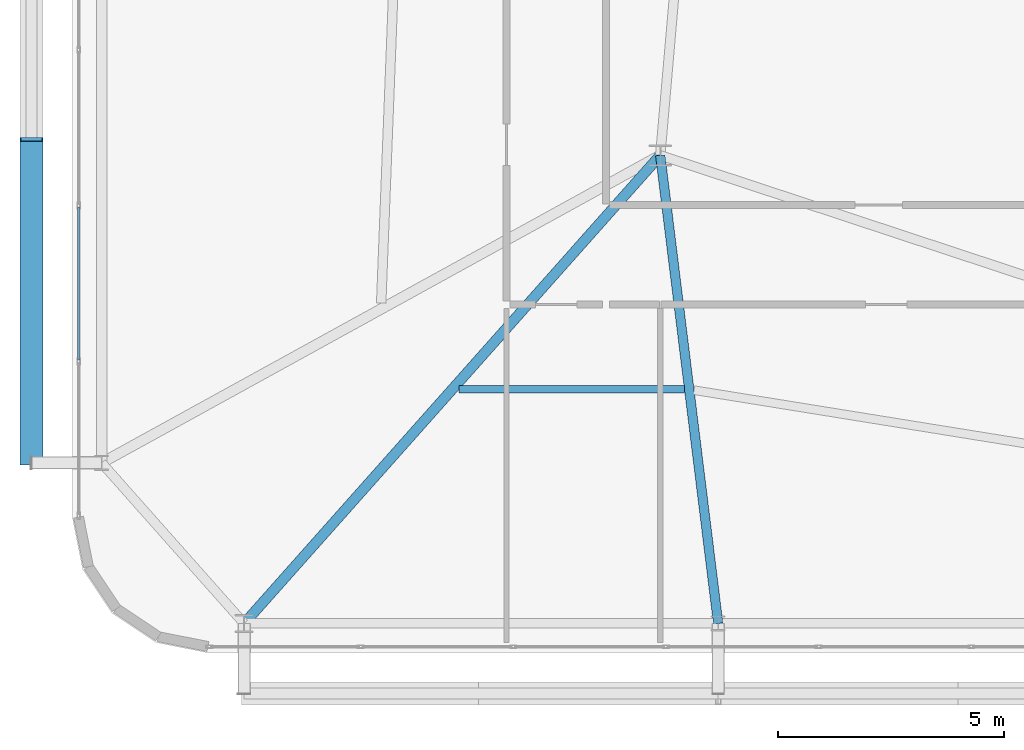
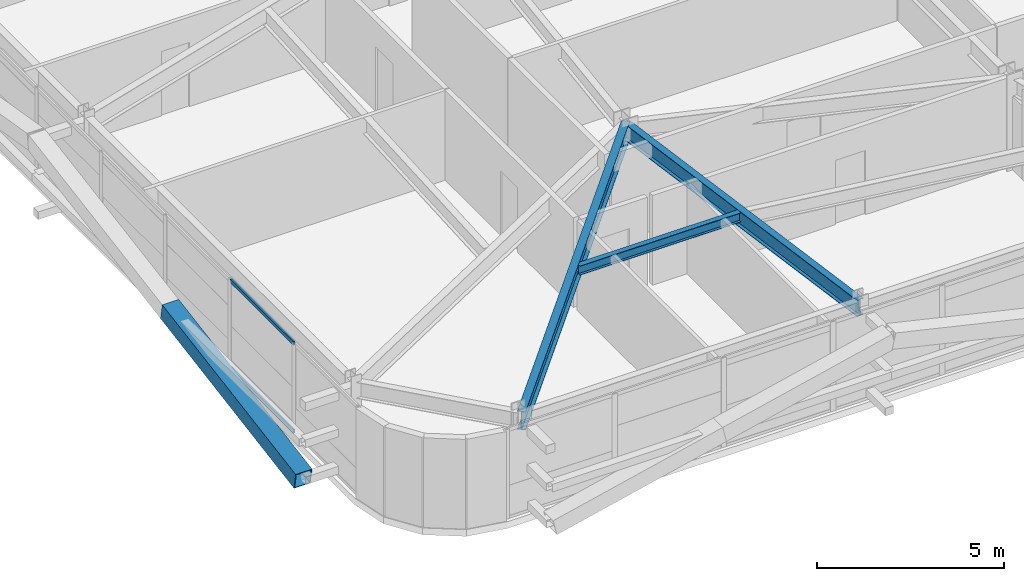
# One storey, part 7 of 59: 3 beams, 3 members, 1 element without a shape of its own.
"""IFC4 building model written with IfcOpenShell, lengths in metres."""

from ifc_helpers import new_model, si_unit, direction, frame, origin, origin_2d, place, context, subcontext, project, spatial, hollow_rectangle, i_section, extrude, source, transform, mapped, material, layer, layer_set, material_profile, profile_set, type_object, element, aggregate, save


model = new_model("IFC4")

# Units and contexts
model_context = context("Model", 3, precision=1e-05, world=origin(), true_north=direction((0.0, 1.0)))
body_context = subcontext(model_context, "Body", "Model", "MODEL_VIEW")
ifc_project = project(units=[si_unit("LENGTHUNIT", "METRE"), si_unit("AREAUNIT", "SQUARE_METRE"), si_unit("VOLUMEUNIT", "CUBIC_METRE"), si_unit("PLANEANGLEUNIT", "RADIAN"), si_unit("MASSUNIT", "GRAM", prefix="KILO")], contexts=[model_context])

# Site, building, storey
site_placement = place(None, origin())
site = spatial("IfcSite", under=ifc_project, at=site_placement, CompositionType="ELEMENT")
building_placement = place(site_placement, origin())
building = spatial("IfcBuilding", under=site, at=building_placement, Name="Taldren Reach Tower", CompositionType="ELEMENT")
storey_placement = place(building_placement, frame((0.0, 0.0, 48.300048828125)))
storey = spatial("IfcBuildingStorey", under=building, at=storey_placement, Name="L14", CompositionType="ELEMENT", Elevation=48.300048828125)

# Beams
ifc_material_1 = material(Name="Steel Gr 350 (350PLUS)", Category="steel")
ifc_material_profile_1 = material_profile(ifc_material_1, i_section(OverallWidth=0.22802734375, OverallDepth=0.60205078125, WebThickness=0.010498046875, FlangeThickness=0.014892578125, at=origin_2d()), Name="610UB101")
ifc_profile_set_1 = profile_set([ifc_material_profile_1], Name="Steel Gr 350 (350PLUS)")
beam_type_1 = type_object("IfcBeamType", Name="BM-UB610B", PredefinedType="BEAM", material=ifc_profile_set_1)
shared_shape_1 = source(origin(), body_context, "Body", "SweptSolid", [
    extrude(i_section(OverallWidth=0.22802734375, OverallDepth=0.60205078125, WebThickness=0.010498046875, FlangeThickness=0.014892578125, at=origin_2d()), origin(), (0.0, 0.0, 1.0), 13.847900390625),
])
beam_1_placement = place(storey_placement, frame((18.0, 12.5, 2.62890625), z_axis=(-0.664358367375, -0.747414182164, 0.0), x_axis=(0.747414182164, -0.664358367375, 0.0)))
element("IfcBeam", 1, at=beam_1_placement, inside=storey, type_object=beam_type_1, Name="Primary floor girder B1-S1 L14", PredefinedType="BEAM", context=body_context, shape_type="MappedRepresentation", body=[
    mapped(shared_shape_1, transform((0.0, 0.0, 0.0), scale=1.0)),
])
ifc_material_profile_2 = material_profile(ifc_material_1, i_section(OverallWidth=0.208984375, OverallDepth=0.532958984375, WebThickness=0.01025390625, FlangeThickness=0.015625, at=origin_2d()), Name="530UB92.4")
ifc_profile_set_2 = profile_set([ifc_material_profile_2], Name="Steel Gr 350 (350PLUS)")
beam_type_2 = type_object("IfcBeamType", Name="BM-UB530A", PredefinedType="BEAM", material=ifc_profile_set_2)
shared_shape_2 = source(origin(), body_context, "Body", "SweptSolid", [
    extrude(i_section(OverallWidth=0.208984375, OverallDepth=0.532958984375, WebThickness=0.01025390625, FlangeThickness=0.015625, at=origin_2d()), origin(), (0.0, 0.0, 1.0), 10.428955078125),
])
beam_2_placement = place(storey_placement, frame((18.0, 12.5, 2.663330078125), z_axis=(0.122738080664, -0.992439098159, 0.0), x_axis=(0.992439098159, 0.122738080664, 0.0)))
element("IfcBeam", 2, at=beam_2_placement, inside=storey, type_object=beam_type_2, Name="Primary floor girder B1-S2 L14", PredefinedType="BEAM", context=body_context, shape_type="MappedRepresentation", body=[
    mapped(shared_shape_2, transform((0.0, 0.0, 0.0), scale=1.0)),
])
ifc_material_2 = material(Name="Steel Gr 300 (300PLUS, 300 MPa)", Category="steel")
ifc_material_profile_3 = material_profile(ifc_material_2, i_section(OverallWidth=0.166015625, OverallDepth=0.306884765625, WebThickness=0.006591796875, FlangeThickness=0.01171875, at=origin_2d()), Name="310UB46.2")
ifc_profile_set_3 = profile_set([ifc_material_profile_3], Name="Steel Gr 300 (300PLUS, 300 MPa)")
beam_type_3 = type_object("IfcBeamType", Name="JS-UB310", PredefinedType="JOIST", material=ifc_profile_set_3)
shared_shape_3 = source(origin(), body_context, "Body", "SweptSolid", [
    extrude(i_section(OverallWidth=0.166015625, OverallDepth=0.306884765625, WebThickness=0.006591796875, FlangeThickness=0.01171875, at=origin_2d()), origin(), (0.0, 0.0, 1.0), 4.982177734375),
])
beam_3_placement = place(storey_placement, frame((13.552490234375, 7.324951171875, 2.7763671875), z_axis=(1.0, 0.0, 0.0), x_axis=(0.0, 1.0, 0.0)))
element("IfcBeam", 3, at=beam_3_placement, inside=storey, type_object=beam_type_3, Name="Secondary floor joist B1 J1 L14", PredefinedType="JOIST", context=body_context, shape_type="MappedRepresentation", body=[
    mapped(shared_shape_3, transform((0.0, 0.0, 0.0), scale=1.0)),
])

# Member
ifc_material_3 = material(Name="Steel Gr 450 (C450L0)", Category="steel")
ifc_material_profile_4 = material_profile(ifc_material_3, hollow_rectangle(XDim=0.510009765625, YDim=0.510009765625, WallThickness=0.02001953125, at=origin_2d()), Name="510x510x20.0SHS")
ifc_profile_set_4 = profile_set([ifc_material_profile_4], Name="Steel Gr 450 (C450L0)")
member_type_1 = type_object("IfcMemberType", Name="MB-EXO508", PredefinedType="BRACE", material=ifc_profile_set_4)
shared_shape_4 = source(origin(), body_context, "Body", "SweptSolid", [
    extrude(hollow_rectangle(XDim=0.510009765625, YDim=0.510009765625, WallThickness=0.02001953125, at=origin_2d()), origin(), (0.0, 0.0, 1.0), 7.252685546875),
])
member_1_placement = place(storey_placement, frame((4.10009765625, 5.699951171875, 0.219970703125), z_axis=(0.0, 0.985865800628, 0.167536930711), x_axis=(-1.0, 0.0, 0.0)))
element("IfcMember", 4, at=member_1_placement, inside=storey, type_object=member_type_1, Name="Exoskeleton Diagrid Brace B1-W1 L14", PredefinedType="BRACE", context=body_context, shape_type="MappedRepresentation", body=[
    mapped(shared_shape_4, transform((0.0, 0.0, 0.0), scale=1.0)),
])

# Curtain wall, members
ifc_material_4 = material(Name="Aluminium and Low-E Glass Unitised System", Category="aluminium")
ifc_layer = layer(ifc_material_4, 0.159912109375)
ifc_layer_set = layer_set([ifc_layer], Name="Aluminium and Low-E Glass Unitised System")
curtain_wall_type = type_object("IfcCurtainWallType", Name="CW-SYS-2", PredefinedType="NOTDEFINED", material=ifc_layer_set)
curtain_wall_placement = place(storey_placement, origin())
curtain_wall = element("IfcCurtainWall", 5, at=curtain_wall_placement, inside=storey, type_object=curtain_wall_type, Name="Unitised curtain wall CW-L14-W", PredefinedType="NOTDEFINED")
ifc_material_5 = material(Name="Anodised Aluminium 6063-T6", Category="aluminium")
ifc_material_profile_5 = material_profile(ifc_material_5, hollow_rectangle(XDim=0.054931640625, YDim=0.1201171875, WallThickness=0.0029296875, at=origin_2d()), Name="ALU-120x55x3RHS")
ifc_profile_set_5 = profile_set([ifc_material_profile_5], Name="Anodised Aluminium 6063-T6")
member_type_2 = type_object("IfcMemberType", Name="CW-TRN-135", PredefinedType="USERDEFINED", material=ifc_profile_set_5)
shared_shape_5 = source(origin(), body_context, "Body", "SweptSolid", [
    extrude(hollow_rectangle(XDim=0.054931640625, YDim=0.1201171875, WallThickness=0.0029296875, at=origin_2d()), origin(), (0.0, 0.0, 1.0), 3.37939453125),
])
member_2_placement = place(storey_placement, frame((5.139892578125, 11.3564453125, 0.02734375), z_axis=(0.0, -1.0, 0.0), x_axis=(1.0, 0.0, 0.0)))
member_2 = element("IfcMember", 6, at=member_2_placement, type_object=member_type_2, Name="CW-2 transom 8.1", ObjectType="TRANSOM", PredefinedType="USERDEFINED", context=body_context, shape_type="MappedRepresentation", body=[
    mapped(shared_shape_5, transform((0.0, 0.0, 0.0), scale=1.0)),
])
member_3_placement = place(storey_placement, frame((5.139892578125, 11.3564453125, 2.90234375), z_axis=(0.0, -1.0, 0.0), x_axis=(1.0, 0.0, 0.0)))
member_3 = element("IfcMember", 7, at=member_3_placement, type_object=member_type_2, Name="CW-2 transom 8.2", ObjectType="TRANSOM", PredefinedType="USERDEFINED", context=body_context, shape_type="MappedRepresentation", body=[
    mapped(shared_shape_5, transform((0.0, 0.0, 0.0), scale=1.0)),
])
aggregate(curtain_wall, [member_2, member_3])

save(model, "model.ifc")
